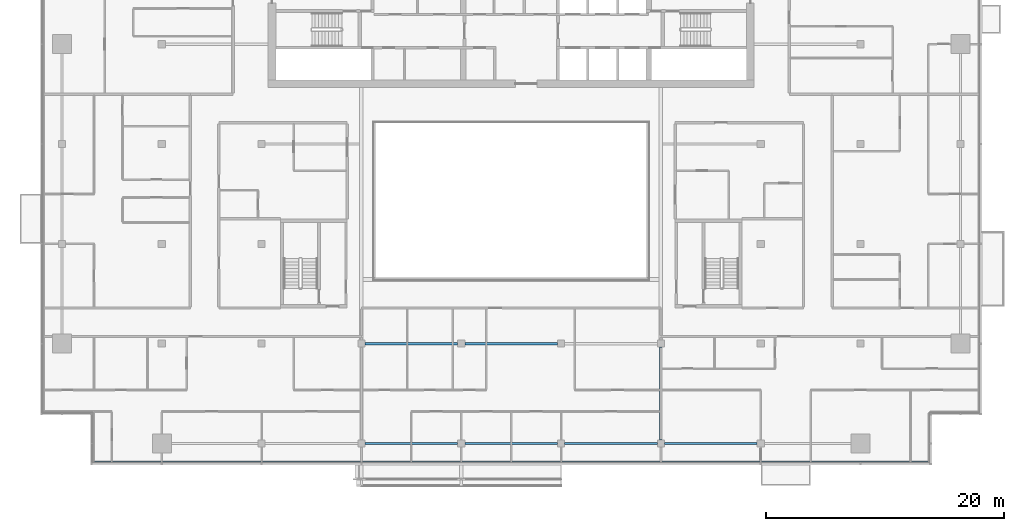
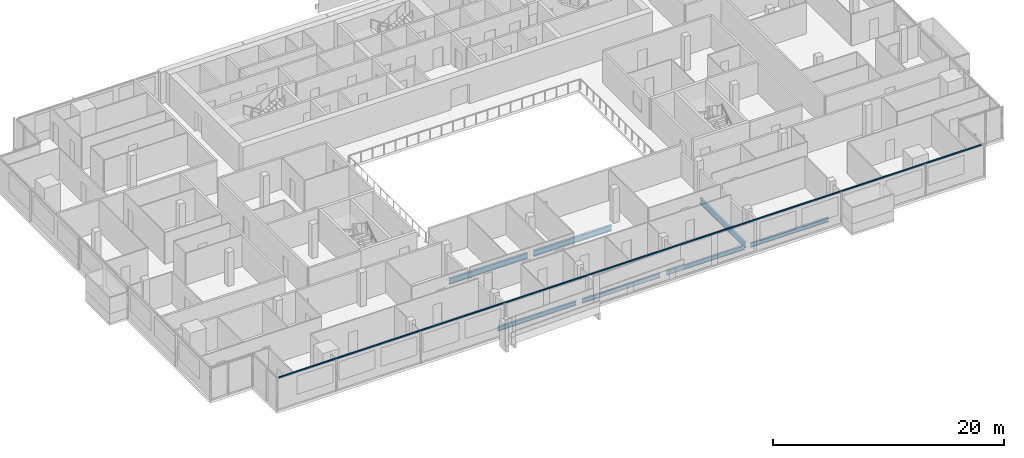
# One storey, part 5 of 26: 7 beams, 1 member, 1 element without a shape of its own.
"""IFC4 building model written with IfcOpenShell, lengths in metres."""

from ifc_helpers import new_model, si_unit, direction, frame, origin, origin_2d, place, context, subcontext, project, spatial, rectangle, i_section, extrude, material, material_profile, profile_set, type_object, element, aggregate, save


model = new_model("IFC4")

# Units and contexts
model_context = context("Model", 3, precision=1e-05, world=origin(), true_north=direction((0.0, 1.0)))
body_context = subcontext(model_context, "Body", "Model", "MODEL_VIEW")
ifc_project = project(units=[si_unit("LENGTHUNIT", "METRE"), si_unit("AREAUNIT", "SQUARE_METRE"), si_unit("VOLUMEUNIT", "CUBIC_METRE"), si_unit("PLANEANGLEUNIT", "RADIAN"), si_unit("MASSUNIT", "GRAM", prefix="KILO")], contexts=[model_context])

# Site, building, storey
site_placement = place(None, origin())
site = spatial("IfcSite", under=ifc_project, at=site_placement, CompositionType="ELEMENT")
building_placement = place(site_placement, origin())
building = spatial("IfcBuilding", under=site, at=building_placement, Name="Saffron Gate Tower", CompositionType="ELEMENT")
storey_placement = place(building_placement, frame((0.0, 0.0, 230.699951171875)))
storey = spatial("IfcBuildingStorey", under=building, at=storey_placement, Name="L56", CompositionType="ELEMENT", Elevation=230.699951171875)

# Beams
ifc_material_1 = material(Name="Structural steel S355", Category="steel")
ifc_material_profile_1 = material_profile(ifc_material_1, i_section(OverallWidth=0.219970703125, OverallDepth=0.60009765625, WebThickness=0.011962890625, FlangeThickness=0.01904296875, FilletRadius=0.02392578125, at=origin_2d()))
ifc_profile_set_1 = profile_set([ifc_material_profile_1], Name="Structural steel S355")
beam_type_1 = type_object("IfcBeamType", Name="B15 IPE 600", PredefinedType="BEAM", material=ifc_profile_set_1)
beam_1_placement = place(storey_placement, frame((100.199951171875, 32.10009765625, -0.579833984375), z_axis=(0.0, 1.0, 0.0), x_axis=(-1.0, 0.0, 0.0)))
element("IfcBeam", 1, at=beam_1_placement, inside=storey, type_object=beam_type_1, Name="B15 FLOOR GIRDER", PredefinedType="BEAM", context=body_context, shape_type="SweptSolid", body=[
    extrude(i_section(OverallWidth=0.219970703125, OverallDepth=0.60009765625, WebThickness=0.011962890625, FlangeThickness=0.01904296875, FilletRadius=0.02392578125, at=origin_2d()), origin(), (0.0, 0.0, 1.0), 7.7998046875),
])
for number, where, z_axis, x_axis, name in (
    (2, (75.300048828125, 40.199951171875, -0.579833984375), (1.0, 0.0, 0.0), (0.0, 1.0, 0.0), "B15 FLOOR GIRDER"),
    (3, (83.699951171875, 40.199951171875, -0.579833984375), (1.0, 0.0, 0.0), (0.0, 1.0, 0.0), "B15 FLOOR GIRDER"),
):
    element("IfcBeam", number, at=place(storey_placement, frame(where, z_axis=z_axis, x_axis=x_axis)), inside=storey, type_object=beam_type_1, Name=name, PredefinedType="BEAM", context=body_context, shape_type="SweptSolid", body=[
        extrude(i_section(OverallWidth=0.219970703125, OverallDepth=0.60009765625, WebThickness=0.011962890625, FlangeThickness=0.01904296875, FilletRadius=0.02392578125, at=origin_2d()), origin(), (0.0, 0.0, 1.0), 7.800048828125),
    ])
ifc_material_profile_2 = material_profile(ifc_material_1, i_section(OverallWidth=0.18994140625, OverallDepth=0.449951171875, WebThickness=0.009521484375, FlangeThickness=0.0146484375, FilletRadius=0.02099609375, at=origin_2d()))
ifc_profile_set_2 = profile_set([ifc_material_profile_2], Name="Structural steel S355")
beam_type_2 = type_object("IfcBeamType", Name="B7 IPE 450", PredefinedType="SPANDREL", material=ifc_profile_set_2)
for number, where, z_axis, x_axis, name in (
    (4, (75.300048828125, 31.800048828125, -0.5048828125), (1.0, 0.0, 0.0), (0.0, 1.0, 0.0), "B7 SPANDREL BEAM"),
    (5, (83.699951171875, 31.800048828125, -0.5048828125), (1.0, 0.0, 0.0), (0.0, 1.0, 0.0), "B7 SPANDREL BEAM"),
):
    element("IfcBeam", number, at=place(storey_placement, frame(where, z_axis=z_axis, x_axis=x_axis)), inside=storey, type_object=beam_type_2, Name=name, PredefinedType="SPANDREL", context=body_context, shape_type="SweptSolid", body=[
        extrude(i_section(OverallWidth=0.18994140625, OverallDepth=0.449951171875, WebThickness=0.009521484375, FlangeThickness=0.0146484375, FilletRadius=0.02099609375, at=origin_2d()), origin(), (0.0, 0.0, 1.0), 7.800048828125),
    ])
beam_2_placement = place(storey_placement, frame((92.10009765625, 31.800048828125, -0.5048828125), z_axis=(1.0, 0.0, 0.0), x_axis=(0.0, 1.0, 0.0)))
element("IfcBeam", 6, at=beam_2_placement, inside=storey, type_object=beam_type_2, Name="B7 SPANDREL BEAM", PredefinedType="SPANDREL", context=body_context, shape_type="SweptSolid", body=[
    extrude(i_section(OverallWidth=0.18994140625, OverallDepth=0.449951171875, WebThickness=0.009521484375, FlangeThickness=0.0146484375, FilletRadius=0.02099609375, at=origin_2d()), origin(), (0.0, 0.0, 1.0), 7.7998046875),
])
beam_3_placement = place(storey_placement, frame((100.5, 31.800048828125, -0.5048828125), z_axis=(1.0, 0.0, 0.0), x_axis=(0.0, 1.0, 0.0)))
element("IfcBeam", 7, at=beam_3_placement, inside=storey, type_object=beam_type_2, Name="B7 SPANDREL BEAM", PredefinedType="SPANDREL", context=body_context, shape_type="SweptSolid", body=[
    extrude(i_section(OverallWidth=0.18994140625, OverallDepth=0.449951171875, WebThickness=0.009521484375, FlangeThickness=0.0146484375, FilletRadius=0.02099609375, at=origin_2d()), origin(), (0.0, 0.0, 1.0), 7.800048828125),
])

# Curtain wall, member
ifc_material_2 = material(Name="Aluminium, bronze anodised", Category="aluminium")
curtain_wall_type = type_object("IfcCurtainWallType", Name="CWS1 curtain wall front facade", PredefinedType="NOTDEFINED", material=ifc_material_2)
curtain_wall_placement = place(storey_placement, origin())
curtain_wall = element("IfcCurtainWall", 8, at=curtain_wall_placement, inside=storey, type_object=curtain_wall_type, Name="CWS1 run 1", PredefinedType="NOTDEFINED")
ifc_material_profile_3 = material_profile(ifc_material_2, rectangle(XDim=0.1201171875, YDim=0.1201171875, at=origin_2d()))
ifc_profile_set_3 = profile_set([ifc_material_profile_3], Name="Aluminium, bronze anodised")
member_type = type_object("IfcMemberType", Name="CWS1 head transom", PredefinedType="USERDEFINED", material=ifc_profile_set_3)
member_placement = place(storey_placement, frame((52.568115234375, 30.248046875, 3.260009765625), z_axis=(1.0, 0.0, 0.0), x_axis=(0.0, 1.0, 0.0)))
member = element("IfcMember", 9, at=member_placement, type_object=member_type, Name="CWS1 head transom", ObjectType="TRANSOM", PredefinedType="USERDEFINED", context=body_context, shape_type="SweptSolid", body=[
    extrude(rectangle(XDim=0.1201171875, YDim=0.1201171875, at=origin_2d()), origin(), (0.0, 0.0, 1.0), 70.06396484375),
])
aggregate(curtain_wall, [member])

save(model, "model.ifc")
